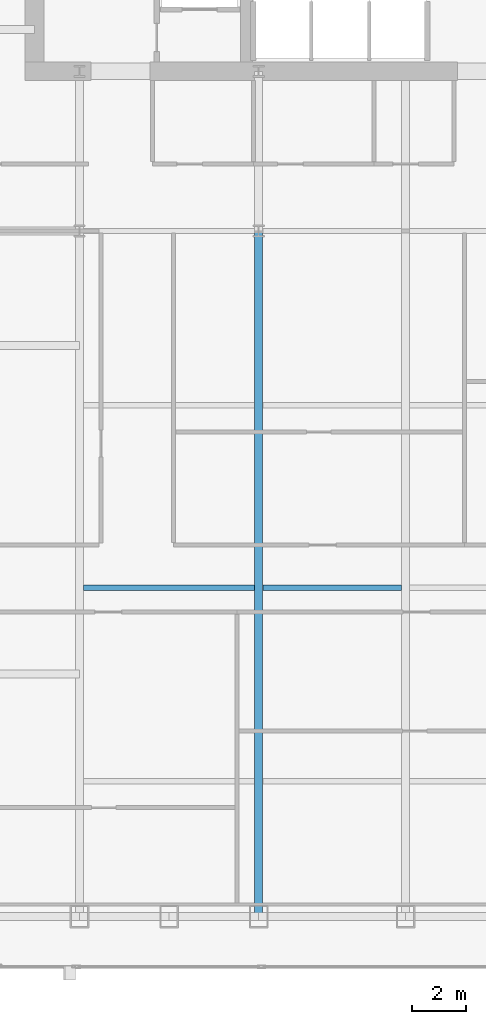
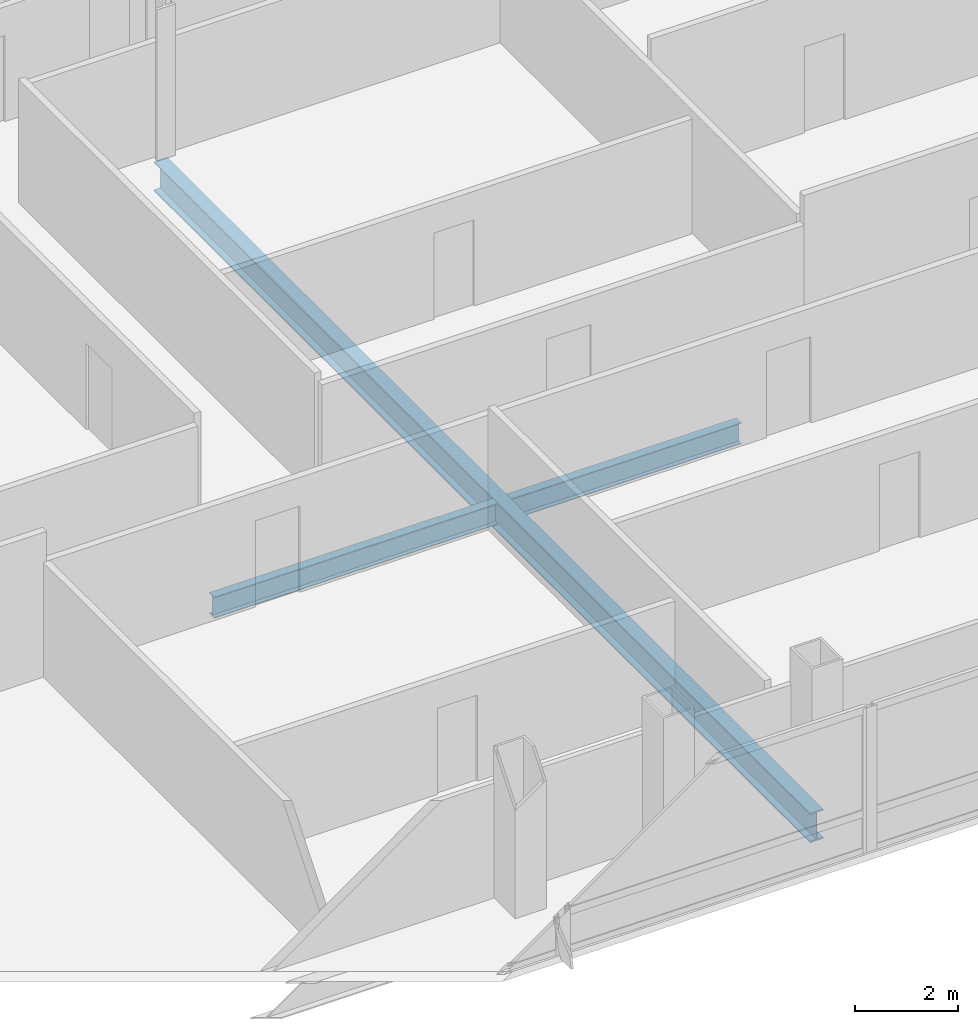
# One storey, part 9 of 29: 3 beams.
"""IFC4 building model written with IfcOpenShell, lengths in metres."""

from ifc_helpers import new_model, si_unit, direction, frame, origin, origin_2d, place, context, subcontext, project, spatial, i_section, extrude, material, material_profile, profile_set, type_object, element, save


model = new_model("IFC4")

# Units and contexts
model_context = context("Model", 3, precision=1e-05, world=origin(), true_north=direction((0.0, 1.0)))
body_context = subcontext(model_context, "Body", "Model", "MODEL_VIEW")
ifc_project = project(units=[si_unit("LENGTHUNIT", "METRE"), si_unit("AREAUNIT", "SQUARE_METRE"), si_unit("VOLUMEUNIT", "CUBIC_METRE"), si_unit("PLANEANGLEUNIT", "RADIAN"), si_unit("MASSUNIT", "GRAM", prefix="KILO")], contexts=[model_context])

# Site, building, storey
site_placement = place(None, origin())
site = spatial("IfcSite", under=ifc_project, at=site_placement, CompositionType="ELEMENT")
building_placement = place(site_placement, origin())
building = spatial("IfcBuilding", under=site, at=building_placement, Name="Khoronbel Lancet Exchange", CompositionType="ELEMENT")
storey_placement = place(building_placement, frame((0.0, 0.0, 161.39990234375)))
storey = spatial("IfcBuildingStorey", under=building, at=storey_placement, Name="L40", CompositionType="ELEMENT", Elevation=161.39990234375)

# Beams
ifc_material = material(Name="Steel S355", Category="steel")
ifc_material_profile_1 = material_profile(ifc_material, i_section(OverallWidth=0.300048828125, OverallDepth=0.699951171875, WebThickness=0.01708984375, FlangeThickness=0.031982421875, at=origin_2d()), Name="HEB 700")
ifc_profile_set_1 = profile_set([ifc_material_profile_1], Name="Steel S355")
beam_type_1 = type_object("IfcBeamType", Name="BM-BG3", PredefinedType="BEAM", material=ifc_profile_set_1)
beam_1_placement = place(storey_placement, frame((24.89990234375, 10.14990234375, -0.510009765625), z_axis=(0.0, 1.0, 0.0), x_axis=(-1.0, 0.0, 0.0)))
element("IfcBeam", 1, at=beam_1_placement, inside=storey, type_object=beam_type_1, Name="Level L40 south primary girder GS2", PredefinedType="BEAM", context=body_context, shape_type="SweptSolid", body=[
    extrude(i_section(OverallWidth=0.300048828125, OverallDepth=0.699951171875, WebThickness=0.01708984375, FlangeThickness=0.031982421875, at=origin_2d()), origin(), (0.0, 0.0, 1.0), 25.550048828125),
])
ifc_material_profile_2 = material_profile(ifc_material, i_section(OverallWidth=0.199951171875, OverallDepth=0.5, WebThickness=0.01025390625, FlangeThickness=0.01611328125, at=origin_2d()), Name="IPE 500")
ifc_profile_set_2 = profile_set([ifc_material_profile_2], Name="Steel S355")
beam_type_2 = type_object("IfcBeamType", Name="BM-BJ3", PredefinedType="JOIST", material=ifc_profile_set_2)
beam_2_placement = place(storey_placement, frame((18.375, 22.39990234375, -0.409912109375), z_axis=(1.0, 0.0, 0.0), x_axis=(0.0, 1.0, 0.0)))
element("IfcBeam", 2, at=beam_2_placement, inside=storey, type_object=beam_type_2, Name="Level L40 secondary composite joist J06", PredefinedType="JOIST", context=body_context, shape_type="SweptSolid", body=[
    extrude(i_section(OverallWidth=0.199951171875, OverallDepth=0.5, WebThickness=0.01025390625, FlangeThickness=0.01611328125, at=origin_2d()), origin(), (0.0, 0.0, 1.0), 6.375),
])
beam_3_placement = place(storey_placement, frame((25.050048828125, 22.39990234375, -0.409912109375), z_axis=(1.0, 0.0, 0.0), x_axis=(0.0, 1.0, 0.0)))
element("IfcBeam", 3, at=beam_3_placement, inside=storey, type_object=beam_type_2, Name="Level L40 secondary composite joist J07", PredefinedType="JOIST", context=body_context, shape_type="SweptSolid", body=[
    extrude(i_section(OverallWidth=0.199951171875, OverallDepth=0.5, WebThickness=0.01025390625, FlangeThickness=0.01611328125, at=origin_2d()), origin(), (0.0, 0.0, 1.0), 5.175048828125),
])

save(model, "model.ifc")
